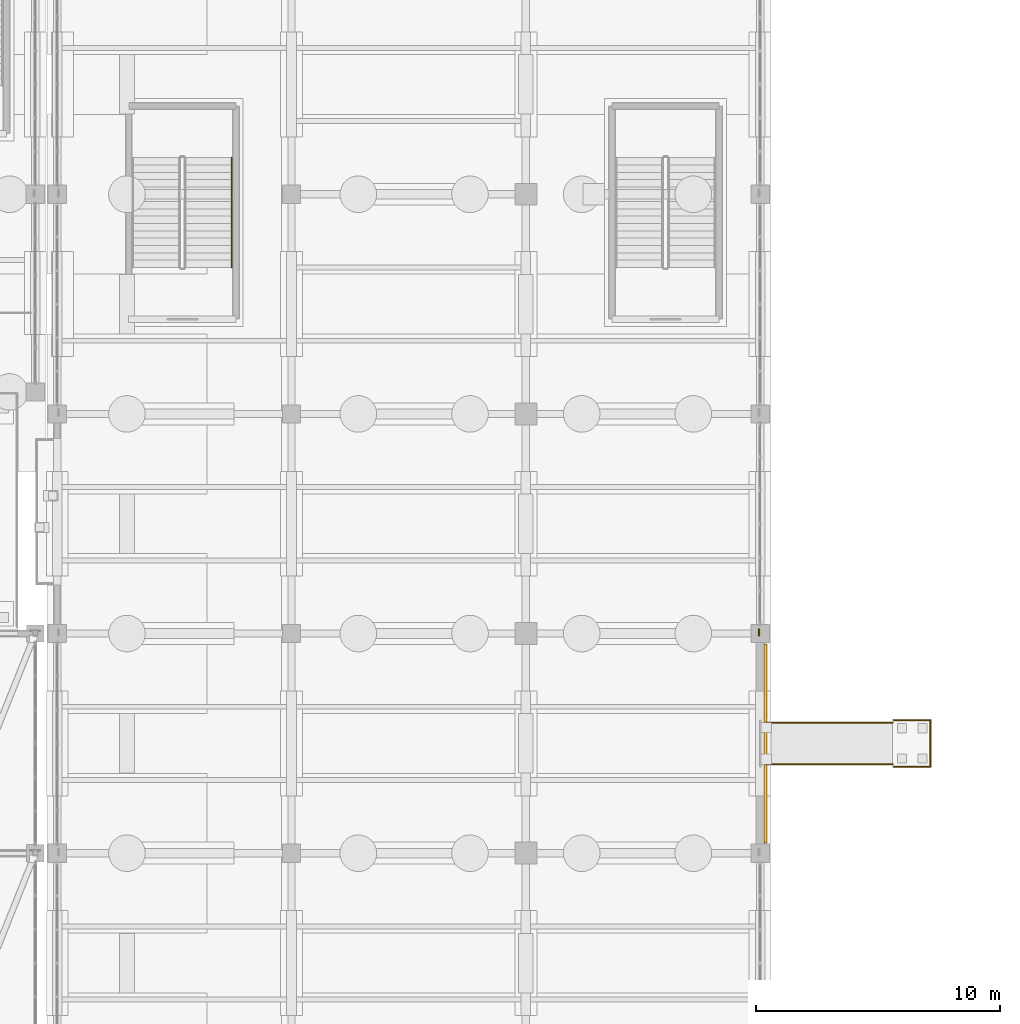
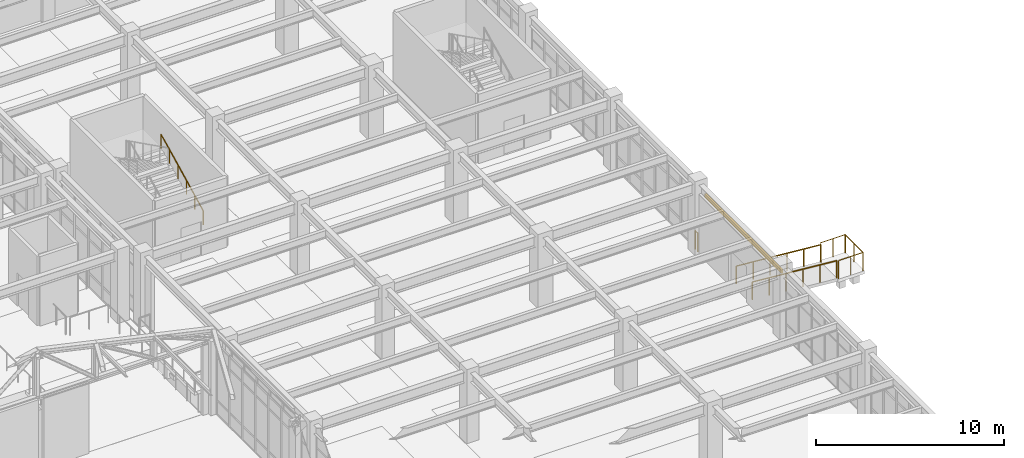
# One storey, part 135 of 139: 7 railings, 1 covering.
"""IFC4 building model written with IfcOpenShell, lengths in metres."""

import ifcopenshell
import ifcopenshell.guid

model = None  # the IFC model being written
_history = None  # IfcOwnerHistory: only IFC2X3 demands one
_inside = {}  # id of a spatial element -> (the spatial element, [elements in it])
_under = {}  # id of a project, library or spatial element -> (it, [spatial elements below it])
_declared = {}  # id of a project -> (the project, [libraries it declares])
_typed = {}  # id of a type object -> (the type object, [elements of that type])
_made_of = {}  # id of a material, layer set ... -> (it, [elements and type objects made of it])


def new_model(schema):
    """Start an empty IFC model of exactly this schema.

    Asked for "IFC4X3", IfcOpenShell would pick the latest addendum, in which some entities
    have other attributes; the version numbers below select the first issue.
    IFC2X3 requires an IfcOwnerHistory on every rooted entity: one is made here for all.
    """
    global model, _history
    if schema == "IFC4X3":
        model = ifcopenshell.file(schema_version=(4, 3, 0, 0))
    else:
        model = ifcopenshell.file(schema=schema)
    _inside.clear()
    _under.clear()
    _declared.clear()
    _typed.clear()
    _made_of.clear()
    _history = None
    if model.schema == "IFC2X3":
        org = make("IfcOrganization", Name="unknown")
        user = make(
            "IfcPersonAndOrganization",
            ThePerson=make("IfcPerson", FamilyName="unknown"),
            TheOrganization=org,
        )
        app = make(
            "IfcApplication",
            ApplicationDeveloper=org,
            Version="unknown",
            ApplicationFullName="unknown",
            ApplicationIdentifier="unknown",
        )
        _history = make(
            "IfcOwnerHistory",
            OwningUser=user,
            OwningApplication=app,
            ChangeAction="ADDED",
            CreationDate=0,
        )
    return model


def make(cls, **values):
    """One entity of the class cls with the attributes given. An attribute that is None is left unset."""
    return model.create_entity(
        cls, **{name: value for name, value in values.items() if value is not None}
    )


def rooted(cls, **values):
    """An entity with a GlobalId (a new one), such as an element, a storey or a relation."""
    return make(cls, GlobalId=ifcopenshell.guid.new(), OwnerHistory=_history, **values)


def si_unit(unit_type, name, prefix=None):
    """IfcSIUnit, for example si_unit("LENGTHUNIT", "METRE", prefix="MILLI")."""
    return make("IfcSIUnit", UnitType=unit_type, Prefix=prefix, Name=name)


def assignment(units):
    """IfcUnitAssignment: the units of a project."""
    return None if units is None else make("IfcUnitAssignment", Units=units)


def point(xyz):
    """IfcCartesianPoint."""
    return None if xyz is None else make("IfcCartesianPoint", Coordinates=xyz)


def direction(xyz):
    """IfcDirection."""
    return None if xyz is None else make("IfcDirection", DirectionRatios=xyz)


def frame(location, z_axis=None, x_axis=None):
    """IfcAxis2Placement3D, a coordinate frame: its origin and axes. An axis left out is left unset."""
    return make(
        "IfcAxis2Placement3D",
        Location=point(location),
        Axis=direction(z_axis),
        RefDirection=direction(x_axis),
    )


def frame_2d(location, x_axis=None):
    """IfcAxis2Placement2D, a coordinate frame in the plane: its origin and x axis."""
    return make(
        "IfcAxis2Placement2D", Location=point(location), RefDirection=direction(x_axis)
    )


def origin():
    """The frame at (0, 0, 0) with its axes left unset."""
    return frame((0.0, 0.0, 0.0))


def origin_2d():
    """The frame at (0, 0) in the plane with its x axis left unset."""
    return frame_2d((0.0, 0.0))


def place(relative_to, where):
    """IfcLocalPlacement: puts the frame where relative to a parent placement (None: the world)."""
    return make(
        "IfcLocalPlacement", PlacementRelTo=relative_to, RelativePlacement=where
    )


def context(
    kind, dimensions, precision=None, world=None, true_north=None, identifier=None
):
    """IfcGeometricRepresentationContext, for example the 3D "Model" context."""
    return make(
        "IfcGeometricRepresentationContext",
        ContextIdentifier=identifier,
        ContextType=kind,
        CoordinateSpaceDimension=dimensions,
        Precision=precision,
        WorldCoordinateSystem=world,
        TrueNorth=true_north,
    )


def subcontext(parent, identifier, kind, view, scale=None):
    """IfcGeometricRepresentationSubContext, for example "Body" below "Model"."""
    return make(
        "IfcGeometricRepresentationSubContext",
        ContextIdentifier=identifier,
        ContextType=kind,
        ParentContext=parent,
        TargetScale=scale,
        TargetView=view,
    )


def project(units=None, contexts=None):
    """IfcProject with its units and contexts."""
    return rooted(
        "IfcProject",
        Name="project",
        RepresentationContexts=contexts,
        UnitsInContext=assignment(units),
    )


def spatial(cls, under=None, at=None, **own):
    """A site, building, storey or space (cls), placed at a placement, below another one or the project."""
    s = rooted(cls, ObjectPlacement=at, **own)
    if under is not None:
        _under.setdefault(under.id(), (under, []))[1].append(s)
    return s


def profile(cls, at=None, kind="AREA", **sizes):
    """A parametric profile (cls). Its sizes go by their IFC names, for example OverallWidth=200.0."""
    return make(cls, ProfileType=kind, Position=at, **sizes)


def rectangle(**sizes):
    """IfcRectangleProfileDef."""
    return profile("IfcRectangleProfileDef", **sizes)


def circle(**sizes):
    """IfcCircleProfileDef."""
    return profile("IfcCircleProfileDef", **sizes)


def extrude(swept, where, along, depth):
    """IfcExtrudedAreaSolid: the profile swept, set in the frame where, extruded along a direction by depth."""
    return make(
        "IfcExtrudedAreaSolid",
        SweptArea=swept,
        Position=where,
        ExtrudedDirection=direction(along),
        Depth=depth,
    )


def shape(context_of_items, identifier, shape_type, items):
    """IfcShapeRepresentation: the items that make up one representation, for example the "Body"."""
    return make(
        "IfcShapeRepresentation",
        ContextOfItems=context_of_items,
        RepresentationIdentifier=identifier,
        RepresentationType=shape_type,
        Items=items,
    )


def material(Name=None, Category=None):
    """IfcMaterial."""
    return make("IfcMaterial", Name=Name, Category=Category)


def layer(
    of_material, thickness, ventilated=None, Name=None, Category=None, Priority=None
):
    """IfcMaterialLayer: one layer of a wall or slab, of a material (None: an air gap)."""
    return make(
        "IfcMaterialLayer",
        Material=of_material,
        LayerThickness=thickness,
        IsVentilated=ventilated,
        Name=Name,
        Category=Category,
        Priority=Priority,
    )


def layer_set(layers, Name=None):
    """IfcMaterialLayerSet."""
    return make("IfcMaterialLayerSet", MaterialLayers=layers, LayerSetName=Name)


def made_of(thing, what):
    """Note that an element or type object is made of a material, layer set ...; save() writes the relation."""
    if what is not None:
        _made_of.setdefault(what.id(), (what, []))[1].append(thing)
    return thing


def type_object(cls, material=None, **own):
    """A type object (cls), such as IfcWallType, which elements share."""
    return made_of(rooted(cls, **own), material)


def element(
    cls,
    number,
    at=None,
    inside=None,
    cuts=None,
    type_object=None,
    material=None,
    context=None,
    identifier="Body",
    shape_type=None,
    held_by="IfcProductDefinitionShape",
    body=None,
    shapes=None,
    **own,
):
    """One element of the class cls, such as IfcWall. Its Tag is "e" and its number.

    at: its placement. inside: the storey or other place that contains it. cuts: it is an
    opening in that element (IfcRelVoidsElement). A single representation is given by context,
    identifier, shape_type and body (its items); several are given by shapes. held_by: the class
    of the entity that holds the representations. save() writes the other relations.
    """
    e = rooted(cls, Tag="e%d" % number, ObjectPlacement=at, **own)
    if body is not None:
        shapes = [shape(context, identifier, shape_type, body)]
    if shapes is not None:
        e.Representation = make(held_by, Representations=shapes)
    if inside is not None:
        _inside.setdefault(inside.id(), (inside, []))[1].append(e)
    if cuts is not None:
        rooted(
            "IfcRelVoidsElement", RelatingBuildingElement=cuts, RelatedOpeningElement=e
        )
    if type_object is not None:
        _typed.setdefault(type_object.id(), (type_object, []))[1].append(e)
    return made_of(e, material)


def aggregate(whole, parts):
    """IfcRelAggregates: a whole, such as a stair, and the parts it consists of."""
    return rooted("IfcRelAggregates", RelatingObject=whole, RelatedObjects=parts)


def save(model, path):
    """Write the relations noted so far, then the file.

    IfcRelAggregates (storeys below a building ...), IfcRelContainedInSpatialStructure (elements
    in a storey), IfcRelDefinesByType, IfcRelAssociatesMaterial and IfcRelDeclares: one each for
    every whole, place, type object, material and project.
    """
    for whole, parts in _under.values():
        aggregate(whole, parts)
    for where, things in _inside.values():
        rooted(
            "IfcRelContainedInSpatialStructure",
            RelatedElements=things,
            RelatingStructure=where,
        )
    for kind, things in _typed.values():
        rooted("IfcRelDefinesByType", RelatedObjects=things, RelatingType=kind)
    for what, things in _made_of.values():
        rooted("IfcRelAssociatesMaterial", RelatedObjects=things, RelatingMaterial=what)
    for by, libraries in _declared.values():
        rooted("IfcRelDeclares", RelatingContext=by, RelatedDefinitions=libraries)
    model.write(path)


model = new_model("IFC4")

# Units and contexts
model_context = context("Model", 3, precision=1e-05, world=origin(), true_north=direction((0.0, 1.0)))
body_context = subcontext(model_context, "Body", "Model", "MODEL_VIEW")
ifc_project = project(units=[si_unit("LENGTHUNIT", "METRE"), si_unit("AREAUNIT", "SQUARE_METRE"), si_unit("VOLUMEUNIT", "CUBIC_METRE"), si_unit("PLANEANGLEUNIT", "RADIAN"), si_unit("MASSUNIT", "GRAM", prefix="KILO")], contexts=[model_context])

# Site, building, storey
site_placement = place(None, origin())
site = spatial("IfcSite", under=ifc_project, at=site_placement, CompositionType="ELEMENT")
building_placement = place(site_placement, origin())
building = spatial("IfcBuilding", under=site, at=building_placement, Name="Canglan Escarpment Cableway Terminal", CompositionType="ELEMENT")
storey_placement = place(building_placement, frame((0.0, 0.0, 14.39990234375)))
storey = spatial("IfcBuildingStorey", under=building, at=storey_placement, Name="L03", CompositionType="ELEMENT", Elevation=14.39990234375)

# Covering
ifc_material_1 = material(Name="Carved classical limestone cornice", Category="masonry")
ifc_layer = layer(ifc_material_1, 0.1201171875, Name="Carved classical limestone cornice")
ifc_layer_set = layer_set([ifc_layer], Name="Carved classical limestone cornice")
covering_type = type_object("IfcCoveringType", Name="COV-CORNICE-STONE", PredefinedType="CLADDING", material=ifc_layer_set)
covering_placement = place(storey_placement, frame((166.6201171875, 74.5, 3.630859375), z_axis=(0.0, 0.0, 1.0), x_axis=(0.0, 1.0, 0.0)))
element("IfcCovering", 1, at=covering_placement, inside=storey, type_object=covering_type, Name="Classical carved limestone cornice CL-01", PredefinedType="CLADDING", context=body_context, shape_type="SweptSolid", body=[
    extrude(rectangle(XDim=8.14990234375, YDim=0.1201171875, at=origin_2d()), origin(), (0.0, 0.0, 1.0), 0.239990234375),
])

# Railings
ifc_material_2 = material(Name="Carved limestone and anodized bronze balustrade", Category="masonry")
railing_type_1 = type_object("IfcRailingType", Name="RL-EXT-BALUSTRADE-1200", PredefinedType="BALUSTRADE", material=ifc_material_2)
railing_1_placement = place(storey_placement, frame((171.8798828125, 73.550048828125, -0.449951171875)))
element("IfcRailing", 2, at=railing_1_placement, inside=storey, type_object=railing_type_1, Name="Accessible Belvedere Court Ramp 6 landing guard 1", PredefinedType="BALUSTRADE", context=body_context, shape_type="SweptSolid", body=[
    extrude(circle(Radius=0.02392578125, at=origin_2d()), frame((0.0, 0.0, 1.17578125), z_axis=(1.0, 0.0, 0.0), x_axis=(0.0, 1.0, 0.0)), (0.0, 0.0, 1.0), 1.5),
    extrude(circle(Radius=0.02099609375, at=origin_2d()), origin(), (0.0, 0.0, 1.0), 1.15185546875),
    extrude(circle(Radius=0.02099609375, at=origin_2d()), frame((0.75, 0.0, 0.0)), (0.0, 0.0, 1.0), 1.15185546875),
    extrude(circle(Radius=0.02099609375, at=origin_2d()), frame((1.5, 0.0, 0.0)), (0.0, 0.0, 1.0), 1.15185546875),
])
railing_2_placement = place(storey_placement, frame((173.3798828125, 73.550048828125, -0.449951171875)))
element("IfcRailing", 3, at=railing_2_placement, inside=storey, type_object=railing_type_1, Name="Accessible Belvedere Court Ramp 6 landing guard 2", PredefinedType="BALUSTRADE", context=body_context, shape_type="SweptSolid", body=[
    extrude(circle(Radius=0.02392578125, at=origin_2d()), frame((0.0, 0.0, 1.17578125), z_axis=(0.0, 1.0, 0.0), x_axis=(-1.0, 0.0, 0.0)), (0.0, 0.0, 1.0), 1.89990234375),
    extrude(circle(Radius=0.02099609375, at=origin_2d()), origin(), (0.0, 0.0, 1.0), 1.15185546875),
    extrude(circle(Radius=0.02099609375, at=origin_2d()), frame((0.0, 0.949951171875, 0.0)), (0.0, 0.0, 1.0), 1.15185546875),
    extrude(circle(Radius=0.02099609375, at=origin_2d()), frame((0.0, 1.89990234375, 0.0)), (0.0, 0.0, 1.0), 1.15185546875),
])
railing_3_placement = place(storey_placement, frame((173.3798828125, 75.449951171875, -0.449951171875)))
element("IfcRailing", 4, at=railing_3_placement, inside=storey, type_object=railing_type_1, Name="Accessible Belvedere Court Ramp 6 landing guard 3", PredefinedType="BALUSTRADE", context=body_context, shape_type="SweptSolid", body=[
    extrude(circle(Radius=0.02392578125, at=origin_2d()), frame((0.0, 0.0, 1.17578125), z_axis=(-1.0, 0.0, 0.0), x_axis=(0.0, -1.0, 0.0)), (0.0, 0.0, 1.0), 1.5),
    extrude(circle(Radius=0.02099609375, at=origin_2d()), origin(), (0.0, 0.0, 1.0), 1.15185546875),
    extrude(circle(Radius=0.02099609375, at=origin_2d()), frame((-0.75, 0.0, 0.0)), (0.0, 0.0, 1.0), 1.15185546875),
    extrude(circle(Radius=0.02099609375, at=origin_2d()), frame((-1.5, 0.0, 0.0)), (0.0, 0.0, 1.0), 1.15185546875),
])
railing_4_placement = place(storey_placement, frame((166.35009765625, 79.18505859375, 0.0)))
element("IfcRailing", 5, at=railing_4_placement, inside=storey, type_object=railing_type_1, Name="Classical terrace balustrade guard GD-01 (L03)", PredefinedType="BALUSTRADE", context=body_context, shape_type="SweptSolid", body=[
    extrude(circle(Radius=0.02392578125, at=origin_2d()), frame((0.0, 0.0, 1.17578125), z_axis=(0.0, -1.0, 0.0), x_axis=(1.0, 0.0, 0.0)), (0.0, 0.0, 1.0), 0.27001953125),
    extrude(circle(Radius=0.02099609375, at=origin_2d()), origin(), (0.0, 0.0, 1.0), 1.15185546875),
    extrude(circle(Radius=0.02099609375, at=origin_2d()), frame((0.0, -0.27001953125, 0.0)), (0.0, 0.0, 1.0), 1.15185546875),
])
ifc_material_3 = material(Name="Brushed stainless steel 316 handrail", Category="steel")
railing_type_2 = type_object("IfcRailingType", Name="RL-EXT-HANDRAIL-1150", PredefinedType="HANDRAIL", material=ifc_material_3)
for number, where, name in (
    (6, (171.830078125, 75.35009765625, -0.449951171875), "Accessible Belvedere Court Ramp 6 guard-handrail 1"),
    (7, (171.830078125, 73.64990234375, -0.449951171875), "Accessible Belvedere Court Ramp 6 guard-handrail 2"),
):
    element("IfcRailing", number, at=place(storey_placement, frame(where)), inside=storey, type_object=railing_type_2, Name=name, PredefinedType="HANDRAIL", context=body_context, shape_type="SweptSolid", body=[
        extrude(circle(Radius=0.02392578125, at=origin_2d()), frame((0.0, 0.0, 1.1259765625), z_axis=(-0.996581297924, 0.0, 0.082617895327), x_axis=(0.0, -1.0, 0.0)), (0.0, 0.0, 1.0), 5.197998046875),
        extrude(circle(Radius=0.02099609375, at=origin_2d()), origin(), (0.0, 0.0, 1.0), 1.101806640625),
        extrude(circle(Radius=0.02099609375, at=origin_2d()), frame((-1.0361328125, 0.0, 0.0859375)), (0.0, 0.0, 1.0), 1.101806640625),
        extrude(circle(Radius=0.02099609375, at=origin_2d()), frame((-2.072021484375, 0.0, 0.171875)), (0.0, 0.0, 1.0), 1.101806640625),
        extrude(circle(Radius=0.02099609375, at=origin_2d()), frame((-3.108154296875, 0.0, 0.257568359375)), (0.0, 0.0, 1.0), 1.101806640625),
        extrude(circle(Radius=0.02099609375, at=origin_2d()), frame((-4.14404296875, 0.0, 0.343505859375)), (0.0, 0.0, 1.0), 1.101806640625),
        extrude(circle(Radius=0.02099609375, at=origin_2d()), frame((-5.18017578125, 0.0, 0.429443359375)), (0.0, 0.0, 1.0), 1.101806640625),
    ])
ifc_material_4 = material(Name="Brushed stainless steel 304 handrail", Category="steel")
railing_type_3 = type_object("IfcRailingType", Name="RL-STR-HR-900", PredefinedType="HANDRAIL", material=ifc_material_4)
railing_5_placement = place(storey_placement, frame((144.75, 94.0, 0.150146484375)))
element("IfcRailing", 8, at=railing_5_placement, inside=storey, type_object=railing_type_3, Name="L03 ST-16 stair handrail 1", PredefinedType="HANDRAIL", context=body_context, shape_type="SweptSolid", body=[
    extrude(circle(Radius=0.02392578125, at=origin_2d()), frame((0.0, 0.0, 0.8759765625), z_axis=(0.0, 0.894427191, 0.4472135955), x_axis=(-1.0, 0.0, 0.0)), (0.0, 0.0, 1.0), 5.03125),
    extrude(circle(Radius=0.02099609375, at=origin_2d()), origin(), (0.0, 0.0, 1.0), 0.851806640625),
    extrude(circle(Radius=0.02099609375, at=origin_2d()), frame((0.0, 0.89990234375, 0.449951171875)), (0.0, 0.0, 1.0), 0.851806640625),
    extrude(circle(Radius=0.02099609375, at=origin_2d()), frame((0.0, 1.800048828125, 0.89990234375)), (0.0, 0.0, 1.0), 0.851806640625),
    extrude(circle(Radius=0.02099609375, at=origin_2d()), frame((0.0, 2.699951171875, 1.35009765625)), (0.0, 0.0, 1.0), 0.851806640625),
    extrude(circle(Radius=0.02099609375, at=origin_2d()), frame((0.0, 3.60009765625, 1.800048828125)), (0.0, 0.0, 1.0), 0.851806640625),
    extrude(circle(Radius=0.02099609375, at=origin_2d()), frame((0.0, 4.5, 2.25)), (0.0, 0.0, 1.0), 0.851806640625),
])

save(model, "model.ifc")
